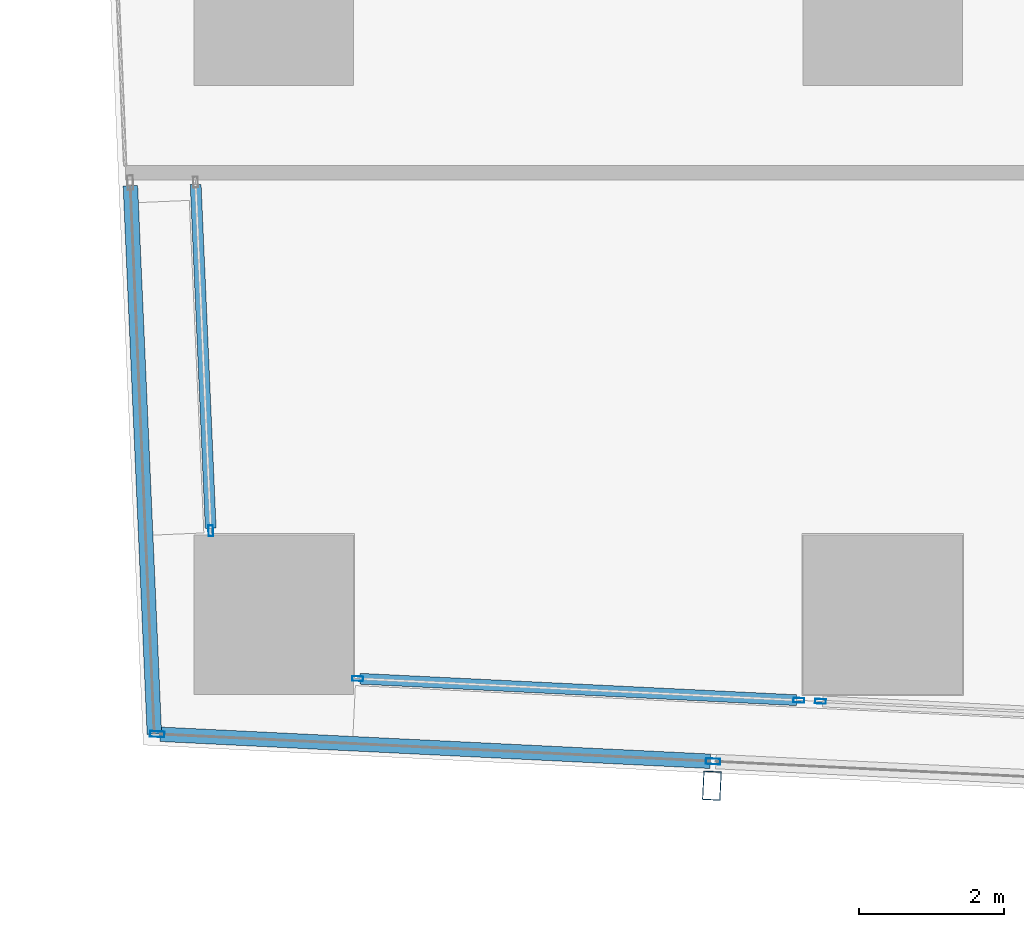
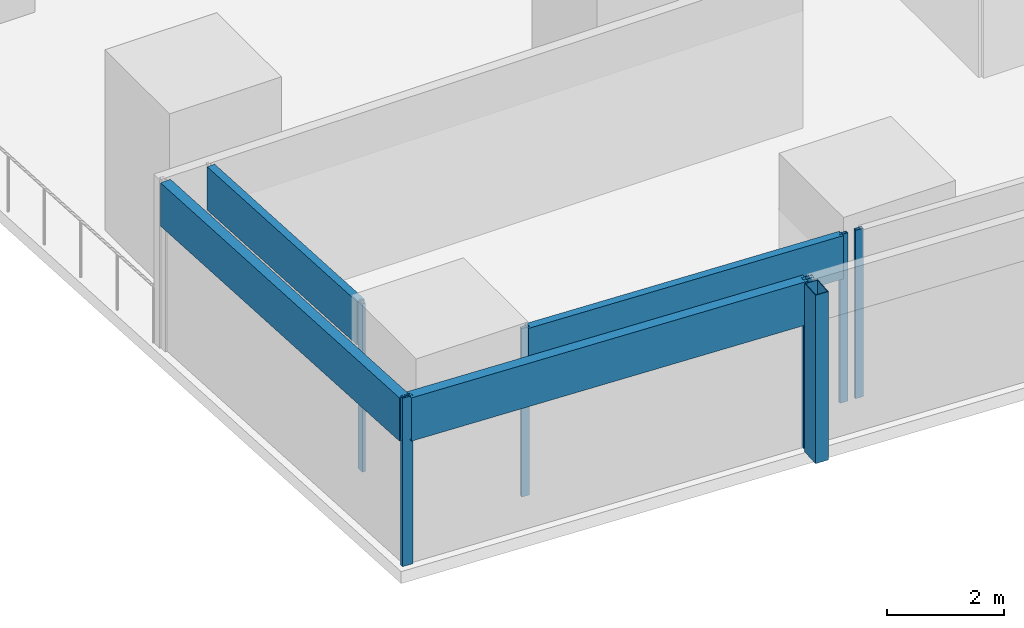
# One storey, part 2 of 42: 11 members, 5 elements without a shape of their own.
"""IFC4 building model written with IfcOpenShell, lengths in metres."""

from ifc_helpers import new_model, si_unit, direction, frame, origin, origin_2d, place, context, subcontext, project, spatial, hollow_rectangle, extrude, material, material_profile, profile_set, type_object, element, aggregate, save


model = new_model("IFC4")

# Units and contexts
model_context = context("Model", 3, precision=1e-05, world=origin(), true_north=direction((0.0, 1.0)))
body_context = subcontext(model_context, "Body", "Model", "MODEL_VIEW")
ifc_project = project(units=[si_unit("LENGTHUNIT", "METRE"), si_unit("AREAUNIT", "SQUARE_METRE"), si_unit("VOLUMEUNIT", "CUBIC_METRE"), si_unit("PLANEANGLEUNIT", "RADIAN"), si_unit("MASSUNIT", "GRAM", prefix="KILO")], contexts=[model_context])

# Site, building, storey
site_placement = place(None, origin())
site = spatial("IfcSite", under=ifc_project, at=site_placement, CompositionType="ELEMENT")
building_placement = place(site_placement, origin())
building = spatial("IfcBuilding", under=site, at=building_placement, Name="Rekha Terrace Tower", CompositionType="ELEMENT")
storey_placement = place(building_placement, frame((0.0, 0.0, 55.39990234375)))
storey = spatial("IfcBuildingStorey", under=building, at=storey_placement, Name="L13", CompositionType="ELEMENT", Elevation=55.39990234375)

# Curtain wall, member
ifc_material_1 = material(Name="Aluminium framing", Category="aluminium")
curtain_wall_type_1 = type_object("IfcCurtainWallType", Name="CW2 double skin outer glazing", PredefinedType="USERDEFINED", material=ifc_material_1)
curtain_wall_1_placement = place(storey_placement, origin())
curtain_wall_1 = element("IfcCurtainWall", 1, at=curtain_wall_1_placement, inside=storey, type_object=curtain_wall_type_1, Name="CW2 double skin outer glazing", ObjectType="DOUBLE SKIN OUTER GLAZING", PredefinedType="USERDEFINED")
ifc_material_2 = material(Name="Steel S355 with fluorocarbon finish", Category="steel")
ifc_material_profile_1 = material_profile(ifc_material_2, hollow_rectangle(XDim=0.25, YDim=0.39990234375, WallThickness=0.012451171875, at=origin_2d()), Name="RHS400x250x12.5")
ifc_profile_set_1 = profile_set([ifc_material_profile_1], Name="Steel S355 with fluorocarbon finish")
member_type_1 = type_object("IfcMemberType", Name="BL1 facade blade RHS 400 x 250", PredefinedType="USERDEFINED", material=ifc_profile_set_1)
member_1_placement = place(storey_placement, frame((14.443603515625, 6.03955078125, 0.0), z_axis=(0.0, 0.0, 1.0), x_axis=(0.998796226835, -0.049051985279, 0.0)))
member_1 = element("IfcMember", 2, at=member_1_placement, type_object=member_type_1, Name="Facade blade", ObjectType="FACADE BLADE", PredefinedType="USERDEFINED", context=body_context, shape_type="SweptSolid", body=[
    extrude(hollow_rectangle(XDim=0.25, YDim=0.39990234375, WallThickness=0.012451171875, at=origin_2d()), origin(), (0.0, 0.0, 1.0), 3.5),
])

# Curtain wall, members
curtain_wall_type_2 = type_object("IfcCurtainWallType", Name="CW1 double skin inner glazing", PredefinedType="USERDEFINED", material=ifc_material_1)
curtain_wall_2_placement = place(storey_placement, origin())
curtain_wall_2 = element("IfcCurtainWall", 3, at=curtain_wall_2_placement, inside=storey, type_object=curtain_wall_type_2, Name="CW1 double skin inner glazing", ObjectType="DOUBLE SKIN INNER GLAZING", PredefinedType="USERDEFINED")
ifc_material_3 = material(Name="Aluminium mullion section", Category="aluminium")
ifc_material_profile_2 = material_profile(ifc_material_3, hollow_rectangle(XDim=0.06494140625, YDim=0.14990234375, WallThickness=0.00390625, at=origin_2d()), Name="AL RHS 65x150")
ifc_profile_set_2 = profile_set([ifc_material_profile_2], Name="Aluminium mullion section")
member_type_2 = type_object("IfcMemberType", Name="CW1 mullion RHS 65 x 150", PredefinedType="MULLION", material=ifc_profile_set_2)
member_2_placement = place(storey_placement, frame((9.55712890625, 7.51611328125, 0.0), z_axis=(0.0, 0.0, 1.0), x_axis=(0.049051717693, 0.998796239977, 0.0)))
member_2 = element("IfcMember", 4, at=member_2_placement, type_object=member_type_2, Name="CW1 mullion 1", PredefinedType="MULLION", context=body_context, shape_type="SweptSolid", body=[
    extrude(hollow_rectangle(XDim=0.06494140625, YDim=0.14990234375, WallThickness=0.00390625, at=origin_2d()), origin(), (0.0, 0.0, 1.0), 3.5),
])
member_3_placement = place(storey_placement, frame((15.642822265625, 7.21728515625, 0.0), z_axis=(0.0, 0.0, 1.0), x_axis=(0.049051717693, 0.998796239977, 0.0)))
member_3 = element("IfcMember", 5, at=member_3_placement, type_object=member_type_2, Name="CW1 mullion 2", PredefinedType="MULLION", context=body_context, shape_type="SweptSolid", body=[
    extrude(hollow_rectangle(XDim=0.06494140625, YDim=0.14990234375, WallThickness=0.00390625, at=origin_2d()), origin(), (0.0, 0.0, 1.0), 3.5),
])

# Curtain wall, member
curtain_wall_3_placement = place(storey_placement, origin())
curtain_wall_3 = element("IfcCurtainWall", 6, at=curtain_wall_3_placement, inside=storey, type_object=curtain_wall_type_2, Name="CW1 double skin inner glazing", ObjectType="DOUBLE SKIN INNER GLAZING", PredefinedType="USERDEFINED")
member_4_placement = place(storey_placement, frame((15.94091796875, 7.20263671875, 0.0), z_axis=(0.0, 0.0, 1.0), x_axis=(0.049051717746, 0.998796239974, 0.0)))
member_4 = element("IfcMember", 7, at=member_4_placement, type_object=member_type_2, Name="CW1 mullion 1", PredefinedType="MULLION", context=body_context, shape_type="SweptSolid", body=[
    extrude(hollow_rectangle(XDim=0.06494140625, YDim=0.14990234375, WallThickness=0.00390625, at=origin_2d()), origin(), (0.0, 0.0, 1.0), 3.5),
])
aggregate(curtain_wall_3, [member_4])

curtain_wall_4_placement = place(storey_placement, origin())
curtain_wall_4 = element("IfcCurtainWall", 8, at=curtain_wall_4_placement, inside=storey, type_object=curtain_wall_type_2, Name="CW1 double skin inner glazing", ObjectType="DOUBLE SKIN INNER GLAZING", PredefinedType="USERDEFINED")
member_5_placement = place(storey_placement, frame((7.53173828125, 9.556640625, 0.0), z_axis=(0.0, 0.0, 1.0), x_axis=(0.999045462129, 0.043682543424, 0.0)))
member_5 = element("IfcMember", 9, at=member_5_placement, type_object=member_type_2, Name="CW1 mullion 2", PredefinedType="MULLION", context=body_context, shape_type="SweptSolid", body=[
    extrude(hollow_rectangle(XDim=0.06494140625, YDim=0.14990234375, WallThickness=0.00390625, at=origin_2d()), origin(), (0.0, 0.0, 1.0), 3.5),
])

# Member
ifc_material_4 = material(Name="Insulated aluminium spandrel box", Category="aluminium")
ifc_material_profile_3 = material_profile(ifc_material_4, hollow_rectangle(XDim=0.14990234375, YDim=0.89990234375, WallThickness=0.0029296875, at=origin_2d()), Name="AL SPANDREL BOX 150x900")
ifc_profile_set_3 = profile_set([ifc_material_profile_3], Name="Insulated aluminium spandrel box")
member_type_3 = type_object("IfcMemberType", Name="CW1 spandrel transom 150 x 900", PredefinedType="USERDEFINED", material=ifc_profile_set_3)
member_6_placement = place(storey_placement, frame((9.589599609375, 7.514404296875, 3.050048828125), z_axis=(0.99879648266, -0.049046775901, 0.0), x_axis=(0.049046775901, 0.99879648266, 0.0)))
member_6 = element("IfcMember", 10, at=member_6_placement, type_object=member_type_3, Name="CW1 spandrel transom 1", ObjectType="TRANSOM", PredefinedType="USERDEFINED", context=body_context, shape_type="SweptSolid", body=[
    extrude(hollow_rectangle(XDim=0.14990234375, YDim=0.89990234375, WallThickness=0.0029296875, at=origin_2d()), origin(), (0.0, 0.0, 1.0), 6.028076171875),
])

aggregate(curtain_wall_2, [member_2, member_3, member_6])

member_7_placement = place(storey_placement, frame((7.322998046875, 14.33203125, 3.050048828125), z_axis=(0.043660391181, -0.999046430474, 0.0), x_axis=(0.999046430474, 0.043660391181, 0.0)))
member_7 = element("IfcMember", 11, at=member_7_placement, type_object=member_type_3, Name="CW1 spandrel transom 1", ObjectType="TRANSOM", PredefinedType="USERDEFINED", context=body_context, shape_type="SweptSolid", body=[
    extrude(hollow_rectangle(XDim=0.14990234375, YDim=0.89990234375, WallThickness=0.0029296875, at=origin_2d()), origin(), (0.0, 0.0, 1.0), 4.74755859375),
])

aggregate(curtain_wall_4, [member_5, member_7])

ifc_material_profile_4 = material_profile(ifc_material_3, hollow_rectangle(XDim=0.080078125, YDim=0.199951171875, WallThickness=0.00390625, at=origin_2d()), Name="AL RHS 80x200")
ifc_profile_set_4 = profile_set([ifc_material_profile_4], Name="Aluminium mullion section")
member_type_4 = type_object("IfcMemberType", Name="CW2 mullion RHS 80 x 200", PredefinedType="MULLION", material=ifc_profile_set_4)
member_8_placement = place(storey_placement, frame((6.79345703125, 6.750732421875, 0.0), z_axis=(0.0, 0.0, 1.0), x_axis=(0.049051717746, 0.998796239974, 0.0)))
member_8 = element("IfcMember", 12, at=member_8_placement, type_object=member_type_4, Name="CW2 mullion 1", PredefinedType="MULLION", context=body_context, shape_type="SweptSolid", body=[
    extrude(hollow_rectangle(XDim=0.080078125, YDim=0.199951171875, WallThickness=0.00390625, at=origin_2d()), origin(), (0.0, 0.0, 1.0), 3.5),
])

member_9_placement = place(storey_placement, frame((14.4599609375, 6.374267578125, 0.0), z_axis=(0.0, 0.0, 1.0), x_axis=(0.049051717746, 0.998796239974, 0.0)))
member_9 = element("IfcMember", 13, at=member_9_placement, type_object=member_type_4, Name="CW2 mullion 2", PredefinedType="MULLION", context=body_context, shape_type="SweptSolid", body=[
    extrude(hollow_rectangle(XDim=0.080078125, YDim=0.199951171875, WallThickness=0.00390625, at=origin_2d()), origin(), (0.0, 0.0, 1.0), 3.5),
])

ifc_material_profile_5 = material_profile(ifc_material_4, hollow_rectangle(XDim=0.199951171875, YDim=0.89990234375, WallThickness=0.0029296875, at=origin_2d()), Name="AL SPANDREL BOX 200x900")
ifc_profile_set_5 = profile_set([ifc_material_profile_5], Name="Insulated aluminium spandrel box")
member_type_5 = type_object("IfcMemberType", Name="CW2 spandrel transom 200 x 900", PredefinedType="USERDEFINED", material=ifc_profile_set_5)
member_10_placement = place(storey_placement, frame((6.83349609375, 6.748779296875, 3.050048828125), z_axis=(0.99879635036, -0.049049469996, 0.0), x_axis=(0.049049469996, 0.99879635036, 0.0)))
member_10 = element("IfcMember", 14, at=member_10_placement, type_object=member_type_5, Name="CW2 spandrel transom 1", ObjectType="TRANSOM", PredefinedType="USERDEFINED", context=body_context, shape_type="SweptSolid", body=[
    extrude(hollow_rectangle(XDim=0.199951171875, YDim=0.89990234375, WallThickness=0.0029296875, at=origin_2d()), origin(), (0.0, 0.0, 1.0), 7.595458984375),
])

aggregate(curtain_wall_1, [member_8, member_9, member_10, member_1])

# Curtain wall, member
curtain_wall_5_placement = place(storey_placement, origin())
curtain_wall_5 = element("IfcCurtainWall", 15, at=curtain_wall_5_placement, inside=storey, type_object=curtain_wall_type_1, Name="CW2 double skin outer glazing", ObjectType="DOUBLE SKIN OUTER GLAZING", PredefinedType="USERDEFINED")
member_11_placement = place(storey_placement, frame((6.422607421875, 14.317138671875, 3.050048828125), z_axis=(0.043690489619, -0.999045114655, 0.0), x_axis=(0.999045114655, 0.043690489619, 0.0)))
member_11 = element("IfcMember", 16, at=member_11_placement, type_object=member_type_5, Name="CW2 spandrel transom 1", ObjectType="TRANSOM", PredefinedType="USERDEFINED", context=body_context, shape_type="SweptSolid", body=[
    extrude(hollow_rectangle(XDim=0.199951171875, YDim=0.89990234375, WallThickness=0.0029296875, at=origin_2d()), origin(), (0.0, 0.0, 1.0), 7.57177734375),
])
aggregate(curtain_wall_5, [member_11])

save(model, "model.ifc")
